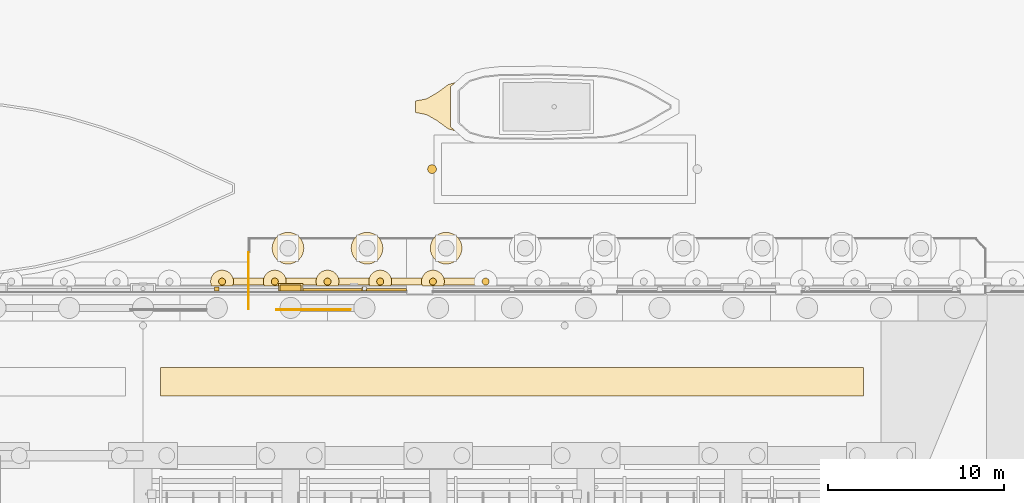
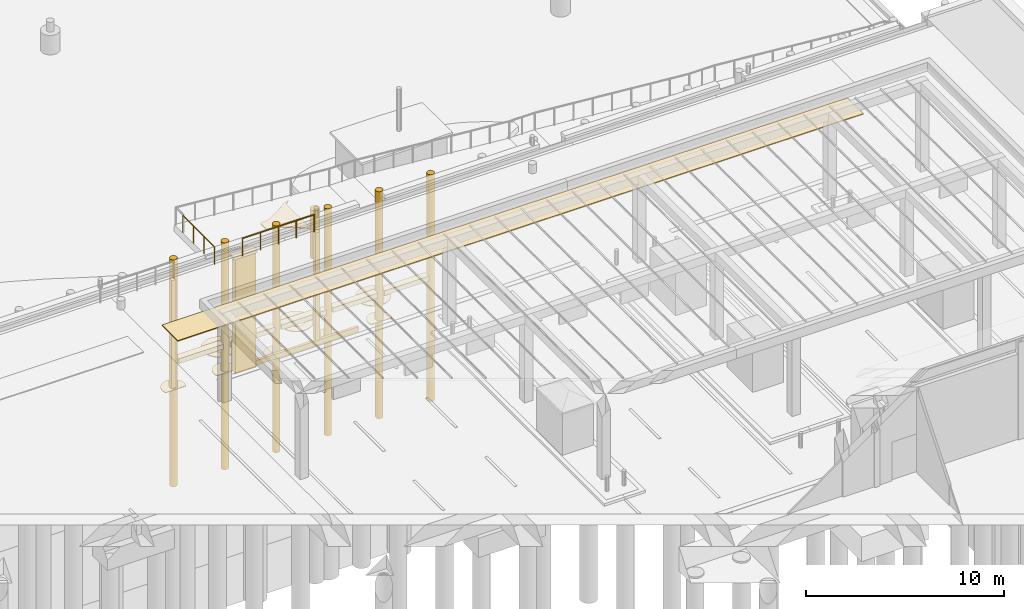
# One storey, part 200 of 222: 27 coverings, 2 railings.
"""IFC4 building model written with IfcOpenShell, lengths in metres."""

from ifc_helpers import new_model, si_unit, direction, frame, origin, origin_2d, place, context, subcontext, project, spatial, polyline, circle, outline, extrude, material, layer, layer_set, type_object, element, save


model = new_model("IFC4")

# Units and contexts
model_context = context("Model", 3, precision=1e-05, world=origin(), true_north=direction((0.0, 1.0)))
body_context = subcontext(model_context, "Body", "Model", "MODEL_VIEW")
ifc_project = project(units=[si_unit("LENGTHUNIT", "METRE"), si_unit("AREAUNIT", "SQUARE_METRE"), si_unit("VOLUMEUNIT", "CUBIC_METRE"), si_unit("PLANEANGLEUNIT", "RADIAN"), si_unit("MASSUNIT", "GRAM", prefix="KILO")], contexts=[model_context])

# Site, building, storey
site_placement = place(None, origin())
site = spatial("IfcSite", under=ifc_project, at=site_placement, CompositionType="ELEMENT")
building_placement = place(site_placement, origin())
building = spatial("IfcBuilding", under=site, at=building_placement, Name="Sava Quay Ferry Terminal", CompositionType="ELEMENT")
storey_placement = place(building_placement, origin())
storey = spatial("IfcBuildingStorey", under=building, at=storey_placement, Name="L00", CompositionType="ELEMENT", Elevation=0.0)

# Railings
ifc_material_1 = material(Name="Steel S355", Category="steel")
railing_type = type_object("IfcRailingType", Name="Edge guard 1100", PredefinedType="GUARDRAIL", material=ifc_material_1)
railing_1_placement = place(storey_placement, frame((133.60009765625, 117.5, 0.0)))
element("IfcRailing", 1, at=railing_1_placement, inside=storey, type_object=railing_type, Name="Quay edge guard", PredefinedType="GUARDRAIL", context=body_context, shape_type="SweptSolid", body=[
    extrude(circle(Radius=0.02392578125, at=origin_2d()), frame((0.0, 0.0, 1.076171875), z_axis=(1.0, 0.0, 0.0), x_axis=(0.0, 1.0, 0.0)), (0.0, 0.0, 1.0), 4.199951171875),
    extrude(circle(Radius=0.02099609375, at=origin_2d()), origin(), (0.0, 0.0, 1.0), 1.052001953125),
    extrude(circle(Radius=0.02099609375, at=origin_2d()), frame((1.050048828125, 0.0, 0.0)), (0.0, 0.0, 1.0), 1.052001953125),
    extrude(circle(Radius=0.02099609375, at=origin_2d()), frame((2.10009765625, 0.0, 0.0)), (0.0, 0.0, 1.0), 1.052001953125),
    extrude(circle(Radius=0.02099609375, at=origin_2d()), frame((3.14990234375, 0.0, 0.0)), (0.0, 0.0, 1.0), 1.052001953125),
    extrude(circle(Radius=0.02099609375, at=origin_2d()), frame((4.199951171875, 0.0, 0.0)), (0.0, 0.0, 1.0), 1.052001953125),
])
railing_2_placement = place(storey_placement, frame((132.0, 117.550048828125, 0.0)))
element("IfcRailing", 2, at=railing_2_placement, inside=storey, type_object=railing_type, Name="Quay ramp west end guard", PredefinedType="GUARDRAIL", context=body_context, shape_type="SweptSolid", body=[
    extrude(circle(Radius=0.02392578125, at=origin_2d()), frame((0.0, 0.0, 1.076171875), z_axis=(0.0, 1.0, 0.0), x_axis=(-1.0, 0.0, 0.0)), (0.0, 0.0, 1.0), 3.199951171875),
    extrude(circle(Radius=0.02099609375, at=origin_2d()), origin(), (0.0, 0.0, 1.0), 1.052001953125),
    extrude(circle(Radius=0.02099609375, at=origin_2d()), frame((0.0, 1.066650390625, 0.0)), (0.0, 0.0, 1.0), 1.052001953125),
    extrude(circle(Radius=0.02099609375, at=origin_2d()), frame((0.0, 2.13330078125, 0.0)), (0.0, 0.0, 1.0), 1.052001953125),
    extrude(circle(Radius=0.02099609375, at=origin_2d()), frame((0.0, 3.199951171875, 0.0)), (0.0, 0.0, 1.0), 1.052001953125),
])

# Coverings
ifc_material_2 = material(Name="Greenheart timber", Category="wood")
ifc_layer_1 = layer(ifc_material_2, 0.25)
ifc_layer_set_1 = layer_set([ifc_layer_1], Name="Greenheart timber")
covering_type_1 = type_object("IfcCoveringType", Name="Fender post 250", PredefinedType="CLADDING", material=ifc_layer_set_1)
covering_1_placement = place(storey_placement, frame((0.0, 0.0, -7.60009765625)))
element("IfcCovering", 3, at=covering_1_placement, inside=storey, type_object=covering_type_1, Name="Fender post", PredefinedType="CLADDING", context=body_context, shape_type="SweptSolid", body=[
    extrude(outline(polyline([(130.324951171875, 118.550048828125), (130.324951171875, 118.800048828125), (130.074951171875, 118.800048828125), (130.074951171875, 118.550048828125), (130.324951171875, 118.550048828125)])), origin(), (0.0, 0.0, 1.0), 6.650146484375),
])
covering_2_placement = place(storey_placement, frame((0.0, 0.0, -7.60009765625)))
element("IfcCovering", 4, at=covering_2_placement, inside=storey, type_object=covering_type_1, Name="Fender post", PredefinedType="CLADDING", context=body_context, shape_type="SweptSolid", body=[
    extrude(outline(polyline([(138.72509765625, 118.550048828125), (138.72509765625, 118.800048828125), (138.47509765625, 118.800048828125), (138.47509765625, 118.550048828125), (138.72509765625, 118.550048828125)])), origin(), (0.0, 0.0, 1.0), 6.650146484375),
])
ifc_material_3 = material(Name="Greenheart timber", Category="wood")
ifc_layer_2 = layer(ifc_material_3, 0.14990234375)
ifc_layer_set_2 = layer_set([ifc_layer_2], Name="Greenheart timber")
covering_type_2 = type_object("IfcCoveringType", Name="Fender rubbing strip 150", PredefinedType="CLADDING", material=ifc_layer_set_2)
covering_3_placement = place(storey_placement, frame((0.0, 0.0, -7.89990234375)))
element("IfcCovering", 5, at=covering_3_placement, inside=storey, type_object=covering_type_2, Name="Fender rubbing strip", PredefinedType="CLADDING", context=body_context, shape_type="SweptSolid", body=[
    extrude(outline(polyline([(141.0, 118.550048828125), (141.0, 118.699951171875), (135.010009765625, 118.699951171875), (135.010009765625, 118.550048828125), (141.0, 118.550048828125)])), origin(), (0.0, 0.0, 1.0), 0.2998046875),
])
ifc_material_4 = material(Name="Timber", Category="wood")
ifc_layer_3 = layer(ifc_material_4, 0.5)
ifc_layer_set_3 = layer_set([ifc_layer_3], Name="Timber")
covering_type_3 = type_object("IfcCoveringType", Name="Pontoon dolphin post 500", PredefinedType="CLADDING", material=ifc_layer_set_3)
covering_4_placement = place(storey_placement, frame((142.449951171875, 125.5, -5.0), z_axis=(0.0, 0.0, -1.0), x_axis=(1.0, 0.0, 0.0)))
element("IfcCovering", 6, at=covering_4_placement, inside=storey, type_object=covering_type_3, Name="Pontoon dolphin post", PredefinedType="CLADDING", context=body_context, shape_type="SweptSolid", body=[
    extrude(circle(Radius=0.25, at=origin_2d()), origin(), (0.0, 0.0, 1.0), 3.0),
])
ifc_material_5 = material(Name="Timber", Category="wood")
ifc_layer_4 = layer(ifc_material_5, 0.39990234375)
ifc_layer_set_4 = layer_set([ifc_layer_4], Name="Timber")
covering_type_4 = type_object("IfcCoveringType", Name="Quay fender pile 400", PredefinedType="CLADDING", material=ifc_layer_set_4)
for number, where, z_axis, x_axis, name in (
    (7, (130.5, 119.10009765625, 0.0), (0.0, 0.0, -1.0), (1.0, 0.0, 0.0), "Quay fender pile"),
    (8, (133.5, 119.10009765625, 0.0), (0.0, 0.0, -1.0), (1.0, 0.0, 0.0), "Quay fender pile"),
    (9, (136.5, 119.10009765625, 0.0), (0.0, 0.0, -1.0), (1.0, 0.0, 0.0), "Quay fender pile"),
    (10, (139.5, 119.10009765625, 0.0), (0.0, 0.0, -1.0), (1.0, 0.0, 0.0), "Quay fender pile"),
    (11, (142.5, 119.10009765625, 0.0), (0.0, 0.0, -1.0), (1.0, 0.0, 0.0), "Quay fender pile"),
    (12, (145.5, 119.10009765625, 0.0), (0.0, 0.0, -1.0), (1.0, 0.0, 0.0), "Quay fender pile"),
):
    element("IfcCovering", number, at=place(storey_placement, frame(where, z_axis=z_axis, x_axis=x_axis)), inside=storey, type_object=covering_type_4, Name=name, PredefinedType="CLADDING", context=body_context, shape_type="SweptSolid", body=[
        extrude(circle(Radius=0.199951171875, at=origin_2d()), origin(), (0.0, 0.0, 1.0), 14.0),
    ])
ifc_material_6 = material(Name="Timber", Category="wood")
ifc_layer_5 = layer(ifc_material_6, 0.39990234375)
ifc_layer_set_5 = layer_set([ifc_layer_5], Name="Timber")
covering_type_5 = type_object("IfcCoveringType", Name="Quay fender waling", PredefinedType="MOLDING", material=ifc_layer_set_5)
covering_5_placement = place(storey_placement, frame((0.0, 0.0, -6.5)))
element("IfcCovering", 13, at=covering_5_placement, inside=storey, type_object=covering_type_5, Name="Quay fender waling", PredefinedType="MOLDING", context=body_context, shape_type="SweptSolid", body=[
    extrude(outline(polyline([(133.300048828125, 118.89990234375), (133.300048828125, 119.300048828125), (130.699951171875, 119.300048828125), (130.699951171875, 118.89990234375), (133.300048828125, 118.89990234375)])), origin(), (0.0, 0.0, 1.0), 0.300048828125),
])
covering_6_placement = place(storey_placement, frame((0.0, 0.0, -6.5)))
element("IfcCovering", 14, at=covering_6_placement, inside=storey, type_object=covering_type_5, Name="Quay fender waling", PredefinedType="MOLDING", context=body_context, shape_type="SweptSolid", body=[
    extrude(outline(polyline([(136.300048828125, 118.89990234375), (136.300048828125, 119.300048828125), (133.699951171875, 119.300048828125), (133.699951171875, 118.89990234375), (136.300048828125, 118.89990234375)])), origin(), (0.0, 0.0, 1.0), 0.300048828125),
])
covering_7_placement = place(storey_placement, frame((0.0, 0.0, -6.5)))
element("IfcCovering", 15, at=covering_7_placement, inside=storey, type_object=covering_type_5, Name="Quay fender waling", PredefinedType="MOLDING", context=body_context, shape_type="SweptSolid", body=[
    extrude(outline(polyline([(139.300048828125, 118.89990234375), (139.300048828125, 119.300048828125), (136.699951171875, 119.300048828125), (136.699951171875, 118.89990234375), (139.300048828125, 118.89990234375)])), origin(), (0.0, 0.0, 1.0), 0.300048828125),
])
covering_8_placement = place(storey_placement, frame((0.0, 0.0, -6.5)))
element("IfcCovering", 16, at=covering_8_placement, inside=storey, type_object=covering_type_5, Name="Quay fender waling", PredefinedType="MOLDING", context=body_context, shape_type="SweptSolid", body=[
    extrude(outline(polyline([(142.300048828125, 118.89990234375), (142.300048828125, 119.300048828125), (139.699951171875, 119.300048828125), (139.699951171875, 118.89990234375), (142.300048828125, 118.89990234375)])), origin(), (0.0, 0.0, 1.0), 0.300048828125),
])
covering_9_placement = place(storey_placement, frame((0.0, 0.0, -6.5)))
element("IfcCovering", 17, at=covering_9_placement, inside=storey, type_object=covering_type_5, Name="Quay fender waling", PredefinedType="MOLDING", context=body_context, shape_type="SweptSolid", body=[
    extrude(outline(polyline([(145.300048828125, 118.89990234375), (145.300048828125, 119.300048828125), (142.699951171875, 119.300048828125), (142.699951171875, 118.89990234375), (145.300048828125, 118.89990234375)])), origin(), (0.0, 0.0, 1.0), 0.300048828125),
])
ifc_material_7 = material(Name="Limestone Mutalj", Category="masonry")
ifc_layer_6 = layer(ifc_material_7, 0.449951171875)
ifc_layer_set_6 = layer_set([ifc_layer_6], Name="Limestone Mutalj")
covering_type_6 = type_object("IfcCoveringType", Name="Quay pilaster cap 1400", PredefinedType="MOLDING", material=ifc_layer_set_6)
covering_10_placement = place(storey_placement, frame((0.0, 0.0, -0.949951171875)))
element("IfcCovering", 18, at=covering_10_placement, inside=storey, type_object=covering_type_6, Name="Quay pilaster cap", PredefinedType="MOLDING", context=body_context, shape_type="SweptSolid", body=[
    extrude(outline(polyline([(135.10009765625, 118.550048828125), (135.10009765625, 119.0), (133.699951171875, 119.0), (133.699951171875, 118.550048828125), (135.10009765625, 118.550048828125)])), origin(), (0.0, 0.0, 1.0), 0.14990234375),
])
ifc_material_8 = material(Name="Limestone Mutalj", Category="masonry")
ifc_layer_7 = layer(ifc_material_8, 0.35009765625)
ifc_layer_set_7 = layer_set([ifc_layer_7], Name="Limestone Mutalj")
covering_type_7 = type_object("IfcCoveringType", Name="Quay wall pilaster 1200", PredefinedType="CLADDING", material=ifc_layer_set_7)
covering_11_placement = place(storey_placement, frame((0.0, 0.0, -8.0)))
element("IfcCovering", 19, at=covering_11_placement, inside=storey, type_object=covering_type_7, Name="Quay wall pilaster", PredefinedType="CLADDING", context=body_context, shape_type="SweptSolid", body=[
    extrude(outline(polyline([(135.0, 118.550048828125), (135.0, 118.89990234375), (133.800048828125, 118.89990234375), (133.800048828125, 118.550048828125), (135.0, 118.550048828125)])), origin(), (0.0, 0.0, 1.0), 7.050048828125),
])
ifc_material_9 = material(Name="Water")
ifc_layer_8 = layer(ifc_material_9, 0.0400390625)
ifc_layer_set_8 = layer_set([ifc_layer_8], Name="Water")
covering_type_8 = type_object("IfcCoveringType", Name="River foam collar", PredefinedType="CLADDING", material=ifc_layer_set_8)
covering_12_placement = place(storey_placement, frame((0.0, 0.0, -8.0)))
element("IfcCovering", 20, at=covering_12_placement, inside=storey, type_object=covering_type_8, Name="River foam collar", PredefinedType="CLADDING", context=body_context, shape_type="SweptSolid", body=[
    extrude(outline(polyline([(133.7490234375, 120.25), (133.905029296875, 120.166015625), (134.073974609375, 120.114990234375), (134.25, 120.097900390625), (134.426025390625, 120.114990234375), (134.594970703125, 120.166015625), (134.7509765625, 120.25), (134.887939453125, 120.362060546875), (135.0, 120.4990234375), (135.083984375, 120.655029296875), (135.135009765625, 120.823974609375), (135.152099609375, 121.0), (135.135009765625, 121.176025390625), (135.083984375, 121.344970703125), (135.0, 121.5009765625), (134.887939453125, 121.637939453125), (134.7509765625, 121.75), (134.594970703125, 121.833984375), (134.426025390625, 121.885009765625), (134.25, 121.902099609375), (134.073974609375, 121.885009765625), (133.905029296875, 121.833984375), (133.7490234375, 121.75), (133.612060546875, 121.637939453125), (133.5, 121.5009765625), (133.416015625, 121.344970703125), (133.364990234375, 121.176025390625), (133.347900390625, 121.0), (133.364990234375, 120.823974609375), (133.416015625, 120.655029296875), (133.5, 120.4990234375), (133.612060546875, 120.362060546875), (133.7490234375, 120.25)]), holes=[polyline([(134.0, 121.3740234375), (134.077880859375, 121.416015625), (134.162109375, 121.44091796875), (134.25, 121.449951171875), (134.337890625, 121.44091796875), (134.422119140625, 121.416015625), (134.5, 121.3740234375), (134.568115234375, 121.318115234375), (134.6240234375, 121.25), (134.666015625, 121.172119140625), (134.69091796875, 121.087890625), (134.699951171875, 121.0), (134.69091796875, 120.912109375), (134.666015625, 120.827880859375), (134.6240234375, 120.75), (134.568115234375, 120.681884765625), (134.5, 120.6259765625), (134.422119140625, 120.583984375), (134.337890625, 120.55908203125), (134.25, 120.550048828125), (134.162109375, 120.55908203125), (134.077880859375, 120.583984375), (134.0, 120.6259765625), (133.931884765625, 120.681884765625), (133.8759765625, 120.75), (133.833984375, 120.827880859375), (133.80908203125, 120.912109375), (133.800048828125, 121.0), (133.80908203125, 121.087890625), (133.833984375, 121.172119140625), (133.8759765625, 121.25), (133.931884765625, 121.318115234375), (134.0, 121.3740234375)])]), origin(), (0.0, 0.0, 1.0), 0.0400390625),
])
covering_13_placement = place(storey_placement, frame((0.0, 0.0, -8.0)))
element("IfcCovering", 21, at=covering_13_placement, inside=storey, type_object=covering_type_8, Name="River foam collar", PredefinedType="CLADDING", context=body_context, shape_type="SweptSolid", body=[
    extrude(outline(polyline([(138.112060546875, 120.362060546875), (138.2490234375, 120.25), (138.405029296875, 120.166015625), (138.573974609375, 120.114990234375), (138.75, 120.097900390625), (138.926025390625, 120.114990234375), (139.094970703125, 120.166015625), (139.2509765625, 120.25), (139.387939453125, 120.362060546875), (139.5, 120.4990234375), (139.583984375, 120.655029296875), (139.635009765625, 120.823974609375), (139.652099609375, 121.0), (139.635009765625, 121.176025390625), (139.583984375, 121.344970703125), (139.5, 121.5009765625), (139.387939453125, 121.637939453125), (139.2509765625, 121.75), (139.094970703125, 121.833984375), (138.926025390625, 121.885009765625), (138.75, 121.902099609375), (138.573974609375, 121.885009765625), (138.405029296875, 121.833984375), (138.2490234375, 121.75), (138.112060546875, 121.637939453125), (138.0, 121.5009765625), (137.916015625, 121.344970703125), (137.864990234375, 121.176025390625), (137.847900390625, 121.0), (137.864990234375, 120.823974609375), (137.916015625, 120.655029296875), (138.0, 120.4990234375), (138.112060546875, 120.362060546875)]), holes=[polyline([(138.431884765625, 121.318115234375), (138.5, 121.3740234375), (138.577880859375, 121.416015625), (138.662109375, 121.44091796875), (138.75, 121.449951171875), (138.837890625, 121.44091796875), (138.922119140625, 121.416015625), (139.0, 121.3740234375), (139.068115234375, 121.318115234375), (139.1240234375, 121.25), (139.166015625, 121.172119140625), (139.19091796875, 121.087890625), (139.199951171875, 121.0), (139.19091796875, 120.912109375), (139.166015625, 120.827880859375), (139.1240234375, 120.75), (139.068115234375, 120.681884765625), (139.0, 120.6259765625), (138.922119140625, 120.583984375), (138.837890625, 120.55908203125), (138.75, 120.550048828125), (138.662109375, 120.55908203125), (138.577880859375, 120.583984375), (138.5, 120.6259765625), (138.431884765625, 120.681884765625), (138.3759765625, 120.75), (138.333984375, 120.827880859375), (138.30908203125, 120.912109375), (138.300048828125, 121.0), (138.30908203125, 121.087890625), (138.333984375, 121.172119140625), (138.3759765625, 121.25), (138.431884765625, 121.318115234375)])]), origin(), (0.0, 0.0, 1.0), 0.0400390625),
])
covering_14_placement = place(storey_placement, frame((0.0, 0.0, -8.0)))
element("IfcCovering", 22, at=covering_14_placement, inside=storey, type_object=covering_type_8, Name="River foam collar", PredefinedType="CLADDING", context=body_context, shape_type="SweptSolid", body=[
    extrude(outline(polyline([(142.5, 120.4990234375), (142.612060546875, 120.362060546875), (142.7490234375, 120.25), (142.905029296875, 120.166015625), (143.073974609375, 120.114990234375), (143.25, 120.097900390625), (143.426025390625, 120.114990234375), (143.594970703125, 120.166015625), (143.7509765625, 120.25), (143.887939453125, 120.362060546875), (144.0, 120.4990234375), (144.083984375, 120.655029296875), (144.135009765625, 120.823974609375), (144.152099609375, 121.0), (144.135009765625, 121.176025390625), (144.083984375, 121.344970703125), (144.0, 121.5009765625), (143.887939453125, 121.637939453125), (143.7509765625, 121.75), (143.594970703125, 121.833984375), (143.426025390625, 121.885009765625), (143.25, 121.902099609375), (143.073974609375, 121.885009765625), (142.905029296875, 121.833984375), (142.7490234375, 121.75), (142.612060546875, 121.637939453125), (142.5, 121.5009765625), (142.416015625, 121.344970703125), (142.364990234375, 121.176025390625), (142.347900390625, 121.0), (142.364990234375, 120.823974609375), (142.416015625, 120.655029296875), (142.5, 120.4990234375)]), holes=[polyline([(142.8759765625, 121.25), (142.931884765625, 121.318115234375), (143.0, 121.3740234375), (143.077880859375, 121.416015625), (143.162109375, 121.44091796875), (143.25, 121.449951171875), (143.337890625, 121.44091796875), (143.422119140625, 121.416015625), (143.5, 121.3740234375), (143.568115234375, 121.318115234375), (143.6240234375, 121.25), (143.666015625, 121.172119140625), (143.69091796875, 121.087890625), (143.699951171875, 121.0), (143.69091796875, 120.912109375), (143.666015625, 120.827880859375), (143.6240234375, 120.75), (143.568115234375, 120.681884765625), (143.5, 120.6259765625), (143.422119140625, 120.583984375), (143.337890625, 120.55908203125), (143.25, 120.550048828125), (143.162109375, 120.55908203125), (143.077880859375, 120.583984375), (143.0, 120.6259765625), (142.931884765625, 120.681884765625), (142.8759765625, 120.75), (142.833984375, 120.827880859375), (142.80908203125, 120.912109375), (142.800048828125, 121.0), (142.80908203125, 121.087890625), (142.833984375, 121.172119140625), (142.8759765625, 121.25)])]), origin(), (0.0, 0.0, 1.0), 0.0400390625),
])
covering_15_placement = place(storey_placement, frame((0.0, 0.0, -8.0)))
element("IfcCovering", 23, at=covering_15_placement, inside=storey, type_object=covering_type_8, Name="River foam collar", PredefinedType="CLADDING", context=body_context, shape_type="SweptSolid", body=[
    extrude(outline(polyline([(130.75, 119.702880859375), (130.626953125, 119.739990234375), (130.5, 119.751953125), (130.373046875, 119.739990234375), (130.25, 119.702880859375), (130.137939453125, 119.64208984375), (130.0390625, 119.56103515625), (129.9580078125, 119.4619140625), (129.89697265625, 119.35009765625), (129.860107421875, 119.22705078125), (129.847900390625, 119.10009765625), (129.860107421875, 118.972900390625), (129.89794921875, 118.85009765625), (131.10205078125, 118.85009765625), (131.139892578125, 118.972900390625), (131.152099609375, 119.10009765625), (131.139892578125, 119.22705078125), (131.10302734375, 119.35009765625), (131.0419921875, 119.4619140625), (130.9609375, 119.56103515625), (130.862060546875, 119.64208984375), (130.75, 119.702880859375)]), holes=[polyline([(130.64111328125, 119.240966796875), (130.666015625, 119.2109375), (130.68505859375, 119.177001953125), (130.696044921875, 119.138916015625), (130.699951171875, 119.10009765625), (130.696044921875, 119.06103515625), (130.68505859375, 119.02294921875), (130.666015625, 118.989013671875), (130.64111328125, 118.958984375), (130.611083984375, 118.93408203125), (130.576904296875, 118.9150390625), (130.5390625, 118.904052734375), (130.5, 118.89990234375), (130.4609375, 118.904052734375), (130.423095703125, 118.9150390625), (130.388916015625, 118.93408203125), (130.35888671875, 118.958984375), (130.333984375, 118.989013671875), (130.31494140625, 119.02294921875), (130.303955078125, 119.06103515625), (130.300048828125, 119.10009765625), (130.303955078125, 119.138916015625), (130.31494140625, 119.177001953125), (130.333984375, 119.2109375), (130.35888671875, 119.240966796875), (130.388916015625, 119.26611328125), (130.423095703125, 119.284912109375), (130.4609375, 119.2958984375), (130.5, 119.300048828125), (130.5390625, 119.2958984375), (130.576904296875, 119.284912109375), (130.611083984375, 119.26611328125), (130.64111328125, 119.240966796875)])]), origin(), (0.0, 0.0, 1.0), 0.0400390625),
])
covering_16_placement = place(storey_placement, frame((0.0, 0.0, -8.0)))
element("IfcCovering", 24, at=covering_16_placement, inside=storey, type_object=covering_type_8, Name="River foam collar", PredefinedType="CLADDING", context=body_context, shape_type="SweptSolid", body=[
    extrude(outline(polyline([(133.373046875, 119.739990234375), (133.25, 119.702880859375), (133.137939453125, 119.64208984375), (133.0390625, 119.56103515625), (132.9580078125, 119.4619140625), (132.89697265625, 119.35009765625), (132.860107421875, 119.22705078125), (132.847900390625, 119.10009765625), (132.860107421875, 118.972900390625), (132.89794921875, 118.85009765625), (133.800048828125, 118.85009765625), (133.800048828125, 118.89990234375), (134.117919921875, 118.89990234375), (134.139892578125, 118.972900390625), (134.152099609375, 119.10009765625), (134.139892578125, 119.22705078125), (134.10302734375, 119.35009765625), (134.0419921875, 119.4619140625), (133.9609375, 119.56103515625), (133.862060546875, 119.64208984375), (133.75, 119.702880859375), (133.626953125, 119.739990234375), (133.5, 119.751953125), (133.373046875, 119.739990234375)]), holes=[polyline([(133.611083984375, 119.26611328125), (133.64111328125, 119.240966796875), (133.666015625, 119.2109375), (133.68505859375, 119.177001953125), (133.696044921875, 119.138916015625), (133.699951171875, 119.10009765625), (133.696044921875, 119.06103515625), (133.68505859375, 119.02294921875), (133.666015625, 118.989013671875), (133.64111328125, 118.958984375), (133.611083984375, 118.93408203125), (133.576904296875, 118.9150390625), (133.5390625, 118.904052734375), (133.5, 118.89990234375), (133.4609375, 118.904052734375), (133.423095703125, 118.9150390625), (133.388916015625, 118.93408203125), (133.35888671875, 118.958984375), (133.333984375, 118.989013671875), (133.31494140625, 119.02294921875), (133.303955078125, 119.06103515625), (133.300048828125, 119.10009765625), (133.303955078125, 119.138916015625), (133.31494140625, 119.177001953125), (133.333984375, 119.2109375), (133.35888671875, 119.240966796875), (133.388916015625, 119.26611328125), (133.423095703125, 119.284912109375), (133.4609375, 119.2958984375), (133.5, 119.300048828125), (133.5390625, 119.2958984375), (133.576904296875, 119.284912109375), (133.611083984375, 119.26611328125)])]), origin(), (0.0, 0.0, 1.0), 0.0400390625),
])
covering_17_placement = place(storey_placement, frame((0.0, 0.0, -8.0)))
element("IfcCovering", 25, at=covering_17_placement, inside=storey, type_object=covering_type_8, Name="River foam collar", PredefinedType="CLADDING", context=body_context, shape_type="SweptSolid", body=[
    extrude(outline(polyline([(136.9609375, 119.56103515625), (136.862060546875, 119.64208984375), (136.75, 119.702880859375), (136.626953125, 119.739990234375), (136.5, 119.751953125), (136.373046875, 119.739990234375), (136.25, 119.702880859375), (136.137939453125, 119.64208984375), (136.0390625, 119.56103515625), (135.9580078125, 119.4619140625), (135.89697265625, 119.35009765625), (135.860107421875, 119.22705078125), (135.847900390625, 119.10009765625), (135.860107421875, 118.972900390625), (135.89794921875, 118.85009765625), (137.10205078125, 118.85009765625), (137.139892578125, 118.972900390625), (137.152099609375, 119.10009765625), (137.139892578125, 119.22705078125), (137.10302734375, 119.35009765625), (137.0419921875, 119.4619140625), (136.9609375, 119.56103515625)]), holes=[polyline([(136.576904296875, 119.284912109375), (136.611083984375, 119.26611328125), (136.64111328125, 119.240966796875), (136.666015625, 119.2109375), (136.68505859375, 119.177001953125), (136.696044921875, 119.138916015625), (136.699951171875, 119.10009765625), (136.696044921875, 119.06103515625), (136.68505859375, 119.02294921875), (136.666015625, 118.989013671875), (136.64111328125, 118.958984375), (136.611083984375, 118.93408203125), (136.576904296875, 118.9150390625), (136.5390625, 118.904052734375), (136.5, 118.89990234375), (136.4609375, 118.904052734375), (136.423095703125, 118.9150390625), (136.388916015625, 118.93408203125), (136.35888671875, 118.958984375), (136.333984375, 118.989013671875), (136.31494140625, 119.02294921875), (136.303955078125, 119.06103515625), (136.300048828125, 119.10009765625), (136.303955078125, 119.138916015625), (136.31494140625, 119.177001953125), (136.333984375, 119.2109375), (136.35888671875, 119.240966796875), (136.388916015625, 119.26611328125), (136.423095703125, 119.284912109375), (136.4609375, 119.2958984375), (136.5, 119.300048828125), (136.5390625, 119.2958984375), (136.576904296875, 119.284912109375)])]), origin(), (0.0, 0.0, 1.0), 0.0400390625),
])
covering_18_placement = place(storey_placement, frame((0.0, 0.0, -8.0)))
element("IfcCovering", 26, at=covering_18_placement, inside=storey, type_object=covering_type_8, Name="River foam collar", PredefinedType="CLADDING", context=body_context, shape_type="SweptSolid", body=[
    extrude(outline(polyline([(140.0419921875, 119.4619140625), (139.9609375, 119.56103515625), (139.862060546875, 119.64208984375), (139.75, 119.702880859375), (139.626953125, 119.739990234375), (139.5, 119.751953125), (139.373046875, 119.739990234375), (139.25, 119.702880859375), (139.137939453125, 119.64208984375), (139.0390625, 119.56103515625), (138.9580078125, 119.4619140625), (138.89697265625, 119.35009765625), (138.860107421875, 119.22705078125), (138.847900390625, 119.10009765625), (138.860107421875, 118.972900390625), (138.89794921875, 118.85009765625), (140.10205078125, 118.85009765625), (140.139892578125, 118.972900390625), (140.152099609375, 119.10009765625), (140.139892578125, 119.22705078125), (140.10302734375, 119.35009765625), (140.0419921875, 119.4619140625)]), holes=[polyline([(139.5390625, 119.2958984375), (139.576904296875, 119.284912109375), (139.611083984375, 119.26611328125), (139.64111328125, 119.240966796875), (139.666015625, 119.2109375), (139.68505859375, 119.177001953125), (139.696044921875, 119.138916015625), (139.699951171875, 119.10009765625), (139.696044921875, 119.06103515625), (139.68505859375, 119.02294921875), (139.666015625, 118.989013671875), (139.64111328125, 118.958984375), (139.611083984375, 118.93408203125), (139.576904296875, 118.9150390625), (139.5390625, 118.904052734375), (139.5, 118.89990234375), (139.4609375, 118.904052734375), (139.423095703125, 118.9150390625), (139.388916015625, 118.93408203125), (139.35888671875, 118.958984375), (139.333984375, 118.989013671875), (139.31494140625, 119.02294921875), (139.303955078125, 119.06103515625), (139.300048828125, 119.10009765625), (139.303955078125, 119.138916015625), (139.31494140625, 119.177001953125), (139.333984375, 119.2109375), (139.35888671875, 119.240966796875), (139.388916015625, 119.26611328125), (139.423095703125, 119.284912109375), (139.4609375, 119.2958984375), (139.5, 119.300048828125), (139.5390625, 119.2958984375)])]), origin(), (0.0, 0.0, 1.0), 0.0400390625),
])
covering_19_placement = place(storey_placement, frame((0.0, 0.0, -8.0)))
element("IfcCovering", 27, at=covering_19_placement, inside=storey, type_object=covering_type_8, Name="River foam collar", PredefinedType="CLADDING", context=body_context, shape_type="SweptSolid", body=[
    extrude(outline(polyline([(143.10302734375, 119.35009765625), (143.0419921875, 119.4619140625), (142.9609375, 119.56103515625), (142.862060546875, 119.64208984375), (142.75, 119.702880859375), (142.626953125, 119.739990234375), (142.5, 119.751953125), (142.373046875, 119.739990234375), (142.25, 119.702880859375), (142.137939453125, 119.64208984375), (142.0390625, 119.56103515625), (141.9580078125, 119.4619140625), (141.89697265625, 119.35009765625), (141.860107421875, 119.22705078125), (141.847900390625, 119.10009765625), (141.860107421875, 118.972900390625), (141.89697265625, 118.85009765625), (143.10205078125, 118.85009765625), (143.139892578125, 118.972900390625), (143.152099609375, 119.10009765625), (143.139892578125, 119.22705078125), (143.10302734375, 119.35009765625)]), holes=[polyline([(142.5, 119.300048828125), (142.5390625, 119.2958984375), (142.576904296875, 119.284912109375), (142.611083984375, 119.26611328125), (142.64111328125, 119.240966796875), (142.666015625, 119.2109375), (142.68505859375, 119.177001953125), (142.696044921875, 119.138916015625), (142.699951171875, 119.10009765625), (142.696044921875, 119.06103515625), (142.68505859375, 119.02294921875), (142.666015625, 118.989013671875), (142.64111328125, 118.958984375), (142.611083984375, 118.93408203125), (142.576904296875, 118.9150390625), (142.5390625, 118.904052734375), (142.5, 118.89990234375), (142.4609375, 118.904052734375), (142.423095703125, 118.9150390625), (142.388916015625, 118.93408203125), (142.35888671875, 118.958984375), (142.333984375, 118.989013671875), (142.31494140625, 119.02294921875), (142.303955078125, 119.06103515625), (142.300048828125, 119.10009765625), (142.303955078125, 119.138916015625), (142.31494140625, 119.177001953125), (142.333984375, 119.2109375), (142.35888671875, 119.240966796875), (142.388916015625, 119.26611328125), (142.423095703125, 119.284912109375), (142.4609375, 119.2958984375), (142.5, 119.300048828125)])]), origin(), (0.0, 0.0, 1.0), 0.0400390625),
])
ifc_material_10 = material(Name="Water")
ifc_layer_9 = layer(ifc_material_10, 0.0400390625)
ifc_layer_set_9 = layer_set([ifc_layer_9], Name="Water")
covering_type_9 = type_object("IfcCoveringType", Name="River wake foam", PredefinedType="CLADDING", material=ifc_layer_set_9)
covering_20_placement = place(storey_placement, frame((0.0, 0.0, -8.0)))
element("IfcCovering", 28, at=covering_20_placement, inside=storey, type_object=covering_type_9, Name="River wake foam", PredefinedType="CLADDING", context=body_context, shape_type="SweptSolid", body=[
    extrude(outline(polyline([(141.5, 128.720947265625), (142.125, 128.60595703125), (142.75, 128.2470703125), (143.375, 127.7890625), (143.761962890625, 127.677978515625), (143.489990234375, 127.923095703125), (143.489990234375, 130.177001953125), (143.761962890625, 130.422119140625), (143.375, 130.31103515625), (142.75, 129.85302734375), (142.125, 129.493896484375), (141.5, 129.37890625), (141.5, 128.720947265625)])), origin(), (0.0, 0.0, 1.0), 0.0400390625),
])
ifc_material_11 = material(Name="Limestone Mutalj", Category="masonry")
ifc_layer_10 = layer(ifc_material_11, 0.050048828125)
ifc_layer_set_10 = layer_set([ifc_layer_10], Name="Limestone Mutalj")
covering_type_10 = type_object("IfcCoveringType", Name="Stone paving band 50", PredefinedType="FLOORING", material=ifc_layer_set_10)
covering_21_placement = place(storey_placement, origin())
element("IfcCovering", 29, at=covering_21_placement, inside=storey, type_object=covering_type_10, Name="Stone paving band", PredefinedType="FLOORING", context=body_context, shape_type="SweptSolid", body=[
    extrude(outline(polyline([(167.0, 114.199951171875), (127.0, 114.199951171875), (127.0, 112.60009765625), (167.0, 112.60009765625), (167.0, 114.199951171875)])), origin(), (0.0, 0.0, 1.0), 0.050048828125),
])

save(model, "model.ifc")
